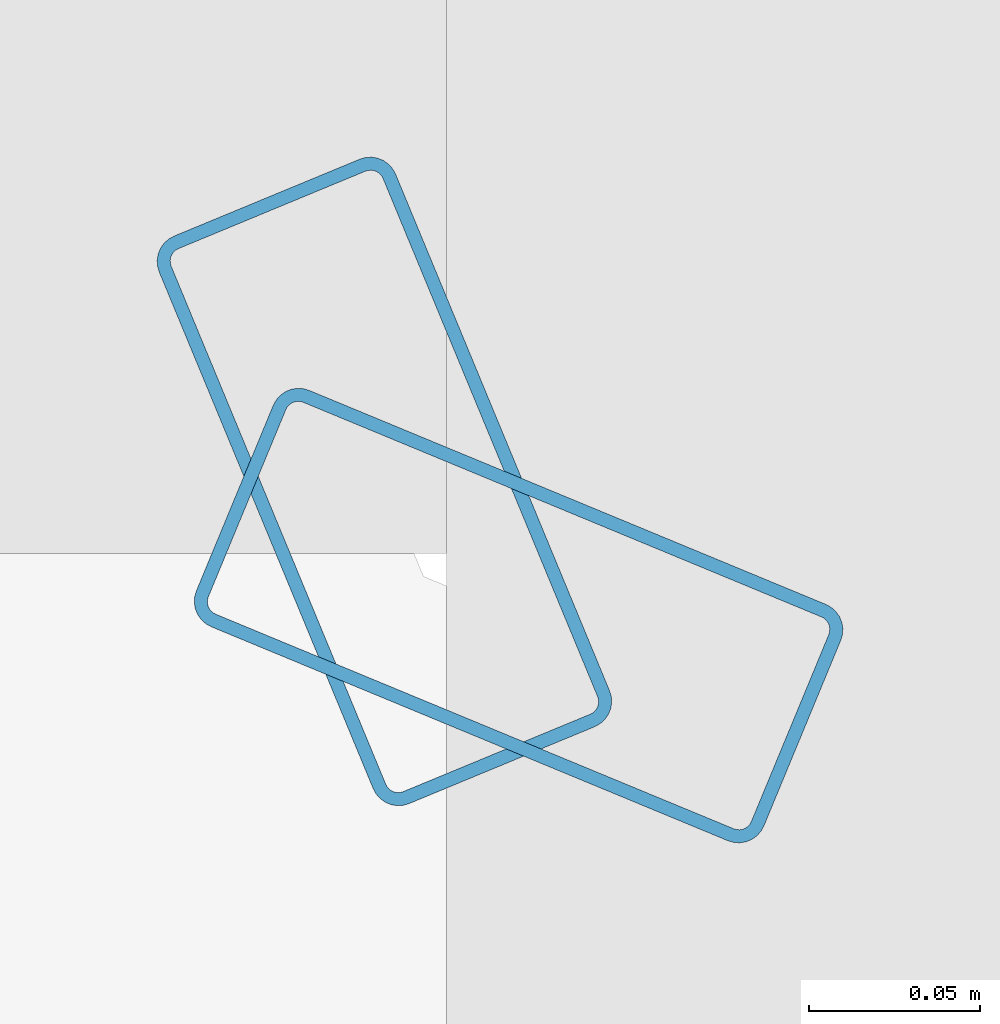
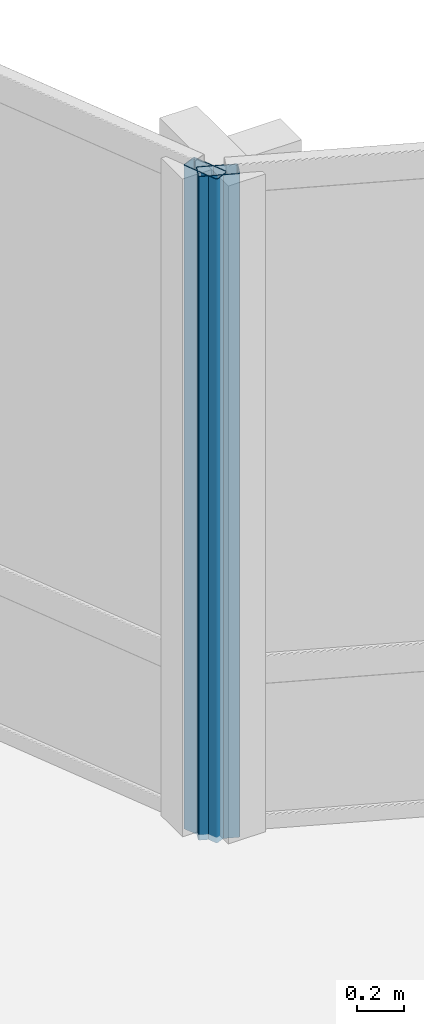
# One storey, part 8 of 34: 2 members, 2 elements without a shape of their own.
"""IFC4 building model written with IfcOpenShell, lengths in metres."""

import ifcopenshell
import ifcopenshell.guid

model = None  # the IFC model being written
_history = None  # IfcOwnerHistory: only IFC2X3 demands one
_inside = {}  # id of a spatial element -> (the spatial element, [elements in it])
_under = {}  # id of a project, library or spatial element -> (it, [spatial elements below it])
_declared = {}  # id of a project -> (the project, [libraries it declares])
_typed = {}  # id of a type object -> (the type object, [elements of that type])
_made_of = {}  # id of a material, layer set ... -> (it, [elements and type objects made of it])


def new_model(schema):
    """Start an empty IFC model of exactly this schema.

    Asked for "IFC4X3", IfcOpenShell would pick the latest addendum, in which some entities
    have other attributes; the version numbers below select the first issue.
    IFC2X3 requires an IfcOwnerHistory on every rooted entity: one is made here for all.
    """
    global model, _history
    if schema == "IFC4X3":
        model = ifcopenshell.file(schema_version=(4, 3, 0, 0))
    else:
        model = ifcopenshell.file(schema=schema)
    _inside.clear()
    _under.clear()
    _declared.clear()
    _typed.clear()
    _made_of.clear()
    _history = None
    if model.schema == "IFC2X3":
        org = make("IfcOrganization", Name="unknown")
        user = make(
            "IfcPersonAndOrganization",
            ThePerson=make("IfcPerson", FamilyName="unknown"),
            TheOrganization=org,
        )
        app = make(
            "IfcApplication",
            ApplicationDeveloper=org,
            Version="unknown",
            ApplicationFullName="unknown",
            ApplicationIdentifier="unknown",
        )
        _history = make(
            "IfcOwnerHistory",
            OwningUser=user,
            OwningApplication=app,
            ChangeAction="ADDED",
            CreationDate=0,
        )
    return model


def make(cls, **values):
    """One entity of the class cls with the attributes given. An attribute that is None is left unset."""
    return model.create_entity(
        cls, **{name: value for name, value in values.items() if value is not None}
    )


def rooted(cls, **values):
    """An entity with a GlobalId (a new one), such as an element, a storey or a relation."""
    return make(cls, GlobalId=ifcopenshell.guid.new(), OwnerHistory=_history, **values)


def si_unit(unit_type, name, prefix=None):
    """IfcSIUnit, for example si_unit("LENGTHUNIT", "METRE", prefix="MILLI")."""
    return make("IfcSIUnit", UnitType=unit_type, Prefix=prefix, Name=name)


def assignment(units):
    """IfcUnitAssignment: the units of a project."""
    return None if units is None else make("IfcUnitAssignment", Units=units)


def point(xyz):
    """IfcCartesianPoint."""
    return None if xyz is None else make("IfcCartesianPoint", Coordinates=xyz)


def direction(xyz):
    """IfcDirection."""
    return None if xyz is None else make("IfcDirection", DirectionRatios=xyz)


def frame(location, z_axis=None, x_axis=None):
    """IfcAxis2Placement3D, a coordinate frame: its origin and axes. An axis left out is left unset."""
    return make(
        "IfcAxis2Placement3D",
        Location=point(location),
        Axis=direction(z_axis),
        RefDirection=direction(x_axis),
    )


def frame_2d(location, x_axis=None):
    """IfcAxis2Placement2D, a coordinate frame in the plane: its origin and x axis."""
    return make(
        "IfcAxis2Placement2D", Location=point(location), RefDirection=direction(x_axis)
    )


def origin():
    """The frame at (0, 0, 0) with its axes left unset."""
    return frame((0.0, 0.0, 0.0))


def origin_2d():
    """The frame at (0, 0) in the plane with its x axis left unset."""
    return frame_2d((0.0, 0.0))


def place(relative_to, where):
    """IfcLocalPlacement: puts the frame where relative to a parent placement (None: the world)."""
    return make(
        "IfcLocalPlacement", PlacementRelTo=relative_to, RelativePlacement=where
    )


def context(
    kind, dimensions, precision=None, world=None, true_north=None, identifier=None
):
    """IfcGeometricRepresentationContext, for example the 3D "Model" context."""
    return make(
        "IfcGeometricRepresentationContext",
        ContextIdentifier=identifier,
        ContextType=kind,
        CoordinateSpaceDimension=dimensions,
        Precision=precision,
        WorldCoordinateSystem=world,
        TrueNorth=true_north,
    )


def subcontext(parent, identifier, kind, view, scale=None):
    """IfcGeometricRepresentationSubContext, for example "Body" below "Model"."""
    return make(
        "IfcGeometricRepresentationSubContext",
        ContextIdentifier=identifier,
        ContextType=kind,
        ParentContext=parent,
        TargetScale=scale,
        TargetView=view,
    )


def project(units=None, contexts=None):
    """IfcProject with its units and contexts."""
    return rooted(
        "IfcProject",
        Name="project",
        RepresentationContexts=contexts,
        UnitsInContext=assignment(units),
    )


def spatial(cls, under=None, at=None, **own):
    """A site, building, storey or space (cls), placed at a placement, below another one or the project."""
    s = rooted(cls, ObjectPlacement=at, **own)
    if under is not None:
        _under.setdefault(under.id(), (under, []))[1].append(s)
    return s


def profile(cls, at=None, kind="AREA", **sizes):
    """A parametric profile (cls). Its sizes go by their IFC names, for example OverallWidth=200.0."""
    return make(cls, ProfileType=kind, Position=at, **sizes)


def hollow_rectangle(**sizes):
    """IfcRectangleHollowProfileDef."""
    return profile("IfcRectangleHollowProfileDef", **sizes)


def extrude(swept, where, along, depth):
    """IfcExtrudedAreaSolid: the profile swept, set in the frame where, extruded along a direction by depth."""
    return make(
        "IfcExtrudedAreaSolid",
        SweptArea=swept,
        Position=where,
        ExtrudedDirection=direction(along),
        Depth=depth,
    )


def shape(context_of_items, identifier, shape_type, items):
    """IfcShapeRepresentation: the items that make up one representation, for example the "Body"."""
    return make(
        "IfcShapeRepresentation",
        ContextOfItems=context_of_items,
        RepresentationIdentifier=identifier,
        RepresentationType=shape_type,
        Items=items,
    )


def material(Name=None, Category=None):
    """IfcMaterial."""
    return make("IfcMaterial", Name=Name, Category=Category)


def layer(
    of_material, thickness, ventilated=None, Name=None, Category=None, Priority=None
):
    """IfcMaterialLayer: one layer of a wall or slab, of a material (None: an air gap)."""
    return make(
        "IfcMaterialLayer",
        Material=of_material,
        LayerThickness=thickness,
        IsVentilated=ventilated,
        Name=Name,
        Category=Category,
        Priority=Priority,
    )


def layer_set(layers, Name=None):
    """IfcMaterialLayerSet."""
    return make("IfcMaterialLayerSet", MaterialLayers=layers, LayerSetName=Name)


def material_profile(
    of_material, cross_section, Name=None, Category=None, Priority=None
):
    """IfcMaterialProfile: a cross section and its material."""
    return make(
        "IfcMaterialProfile",
        Name=Name,
        Material=of_material,
        Profile=cross_section,
        Priority=Priority,
        Category=Category,
    )


def profile_set(profiles, Name=None, composite=None):
    """IfcMaterialProfileSet."""
    return make(
        "IfcMaterialProfileSet",
        Name=Name,
        MaterialProfiles=profiles,
        CompositeProfile=composite,
    )


def made_of(thing, what):
    """Note that an element or type object is made of a material, layer set ...; save() writes the relation."""
    if what is not None:
        _made_of.setdefault(what.id(), (what, []))[1].append(thing)
    return thing


def type_object(cls, material=None, **own):
    """A type object (cls), such as IfcWallType, which elements share."""
    return made_of(rooted(cls, **own), material)


def element(
    cls,
    number,
    at=None,
    inside=None,
    cuts=None,
    type_object=None,
    material=None,
    context=None,
    identifier="Body",
    shape_type=None,
    held_by="IfcProductDefinitionShape",
    body=None,
    shapes=None,
    **own,
):
    """One element of the class cls, such as IfcWall. Its Tag is "e" and its number.

    at: its placement. inside: the storey or other place that contains it. cuts: it is an
    opening in that element (IfcRelVoidsElement). A single representation is given by context,
    identifier, shape_type and body (its items); several are given by shapes. held_by: the class
    of the entity that holds the representations. save() writes the other relations.
    """
    e = rooted(cls, Tag="e%d" % number, ObjectPlacement=at, **own)
    if body is not None:
        shapes = [shape(context, identifier, shape_type, body)]
    if shapes is not None:
        e.Representation = make(held_by, Representations=shapes)
    if inside is not None:
        _inside.setdefault(inside.id(), (inside, []))[1].append(e)
    if cuts is not None:
        rooted(
            "IfcRelVoidsElement", RelatingBuildingElement=cuts, RelatedOpeningElement=e
        )
    if type_object is not None:
        _typed.setdefault(type_object.id(), (type_object, []))[1].append(e)
    return made_of(e, material)


def aggregate(whole, parts):
    """IfcRelAggregates: a whole, such as a stair, and the parts it consists of."""
    return rooted("IfcRelAggregates", RelatingObject=whole, RelatedObjects=parts)


def save(model, path):
    """Write the relations noted so far, then the file.

    IfcRelAggregates (storeys below a building ...), IfcRelContainedInSpatialStructure (elements
    in a storey), IfcRelDefinesByType, IfcRelAssociatesMaterial and IfcRelDeclares: one each for
    every whole, place, type object, material and project.
    """
    for whole, parts in _under.values():
        aggregate(whole, parts)
    for where, things in _inside.values():
        rooted(
            "IfcRelContainedInSpatialStructure",
            RelatedElements=things,
            RelatingStructure=where,
        )
    for kind, things in _typed.values():
        rooted("IfcRelDefinesByType", RelatedObjects=things, RelatingType=kind)
    for what, things in _made_of.values():
        rooted("IfcRelAssociatesMaterial", RelatedObjects=things, RelatingMaterial=what)
    for by, libraries in _declared.values():
        rooted("IfcRelDeclares", RelatingContext=by, RelatedDefinitions=libraries)
    model.write(path)


model = new_model("IFC4")

# Units and contexts
model_context = context("Model", 3, precision=1e-05, world=origin(), true_north=direction((0.0, 1.0)))
body_context = subcontext(model_context, "Body", "Model", "MODEL_VIEW")
ifc_project = project(units=[si_unit("LENGTHUNIT", "METRE"), si_unit("AREAUNIT", "SQUARE_METRE"), si_unit("VOLUMEUNIT", "CUBIC_METRE"), si_unit("PLANEANGLEUNIT", "RADIAN"), si_unit("MASSUNIT", "GRAM", prefix="KILO")], contexts=[model_context])

# Site, building, storey
site_placement = place(None, origin())
site = spatial("IfcSite", under=ifc_project, at=site_placement, CompositionType="ELEMENT")
building_placement = place(site_placement, origin())
building = spatial("IfcBuilding", under=site, at=building_placement, Name="Solvaryn Broadcast Tower", CompositionType="ELEMENT")
storey_placement = place(building_placement, frame((0.0, 0.0, 58.199951171875)))
storey = spatial("IfcBuildingStorey", under=building, at=storey_placement, Name="L13", CompositionType="ELEMENT", Elevation=58.199951171875)

# Curtain wall, member
ifc_material_1 = material(Name="Aluminium and Terracotta Unitised Curtain Wall", Category="masonry")
ifc_layer = layer(ifc_material_1, 0.199951171875)
ifc_layer_set = layer_set([ifc_layer], Name="CW-SYS2-LOWMID")
curtain_wall_type = type_object("IfcCurtainWallType", Name="CW-SYS2-LOWMID", PredefinedType="NOTDEFINED", material=ifc_layer_set)
curtain_wall_1_placement = place(storey_placement, origin())
curtain_wall_1 = element("IfcCurtainWall", 1, at=curtain_wall_1_placement, inside=storey, type_object=curtain_wall_type, Name="L13 Curtain Wall CN1", PredefinedType="NOTDEFINED")
ifc_material_2 = material(Name="Anodised Aluminium 6063-T6", Category="aluminium")
ifc_material_profile = material_profile(ifc_material_2, hollow_rectangle(XDim=0.074951171875, YDim=0.179931640625, WallThickness=0.00390625, InnerFilletRadius=0.00390625, OuterFilletRadius=0.008056640625, at=origin_2d()))
ifc_profile_set = profile_set([ifc_material_profile], Name="Anodised Aluminium 6063-T6")
member_type = type_object("IfcMemberType", Name="CW-MUL-180", PredefinedType="MULLION", material=ifc_profile_set)
member_1_placement = place(storey_placement, frame((30.395751953125, 30.3564453125, 0.0), z_axis=(0.0, 0.0, 1.0), x_axis=(-0.382646127145, -0.923894983957, 0.0)))
member_1 = element("IfcMember", 2, at=member_1_placement, type_object=member_type, Name="CWS2 mullion 2", PredefinedType="MULLION", context=body_context, shape_type="SweptSolid", body=[
    extrude(hollow_rectangle(XDim=0.074951171875, YDim=0.179931640625, WallThickness=0.00390625, InnerFilletRadius=0.00390625, OuterFilletRadius=0.008056640625, at=origin_2d()), origin(), (0.0, 0.0, 1.0), 3.420166015625),
])
aggregate(curtain_wall_1, [member_1])

curtain_wall_2_placement = place(storey_placement, origin())
curtain_wall_2 = element("IfcCurtainWall", 3, at=curtain_wall_2_placement, inside=storey, type_object=curtain_wall_type, Name="L13 Curtain Wall CN2", PredefinedType="NOTDEFINED")
member_2_placement = place(storey_placement, frame((30.3564453125, 30.395751953125, 0.0), z_axis=(0.0, 0.0, 1.0), x_axis=(-0.923894983957, -0.382646127145, 0.0)))
member_2 = element("IfcMember", 4, at=member_2_placement, type_object=member_type, Name="CWS2 mullion 1", PredefinedType="MULLION", context=body_context, shape_type="SweptSolid", body=[
    extrude(hollow_rectangle(XDim=0.074951171875, YDim=0.179931640625, WallThickness=0.00390625, InnerFilletRadius=0.00390625, OuterFilletRadius=0.008056640625, at=origin_2d()), origin(), (0.0, 0.0, 1.0), 3.420166015625),
])
aggregate(curtain_wall_2, [member_2])

save(model, "model.ifc")
